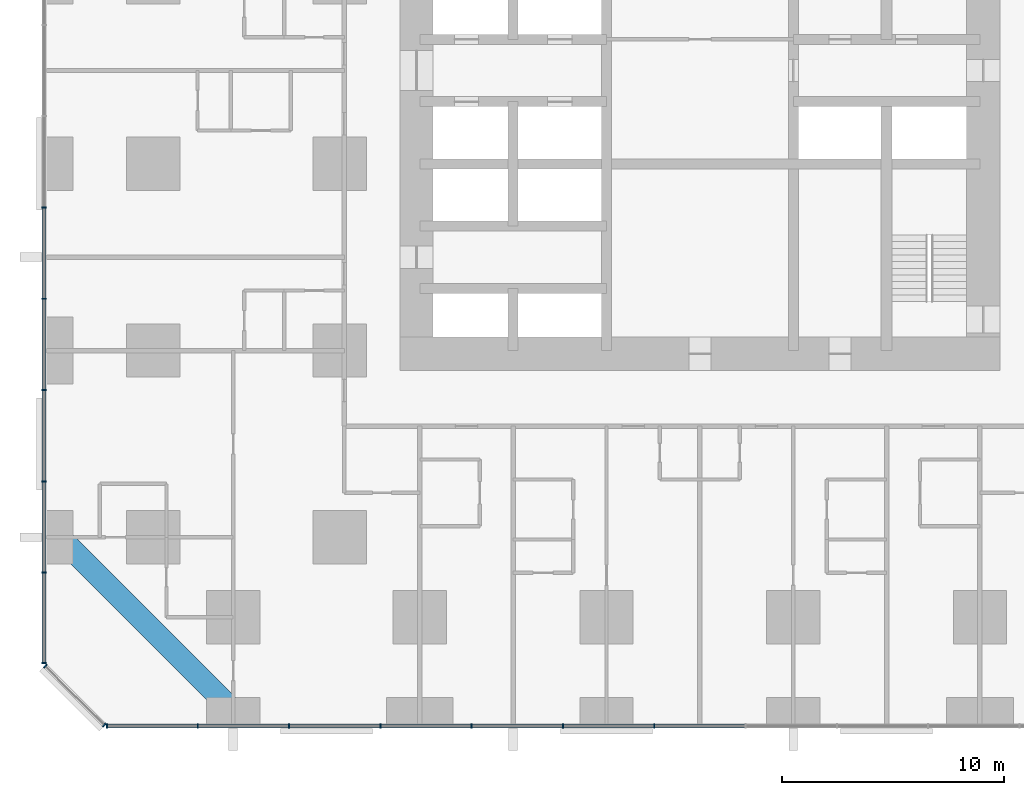
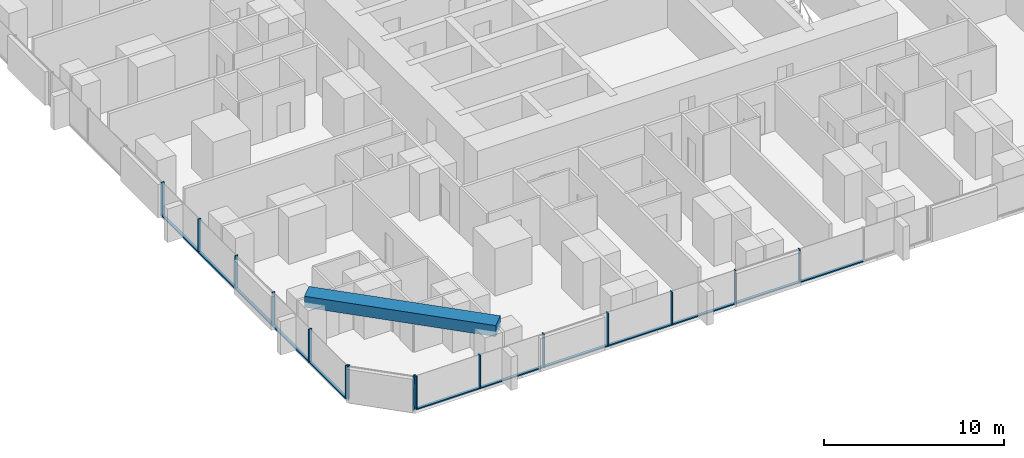
# One storey, part 2 of 16: 27 members, 1 beam, 3 elements without a shape of their own.
"""IFC4 building model written with IfcOpenShell, lengths in metres."""

from ifc_helpers import new_model, si_unit, direction, frame, origin, origin_2d, place, context, subcontext, project, spatial, rectangle, extrude, material, material_profile, profile_set, type_object, element, aggregate, save


model = new_model("IFC4")

# Units and contexts
model_context = context("Model", 3, precision=1e-05, world=origin(), true_north=direction((0.0, 1.0)))
body_context = subcontext(model_context, "Body", "Model", "MODEL_VIEW")
ifc_project = project(units=[si_unit("LENGTHUNIT", "METRE"), si_unit("AREAUNIT", "SQUARE_METRE"), si_unit("VOLUMEUNIT", "CUBIC_METRE"), si_unit("PLANEANGLEUNIT", "RADIAN"), si_unit("MASSUNIT", "GRAM", prefix="KILO")], contexts=[model_context])

# Site, building, storey
site_placement = place(None, origin())
site = spatial("IfcSite", under=ifc_project, at=site_placement, CompositionType="ELEMENT")
building_placement = place(site_placement, origin())
building = spatial("IfcBuilding", under=site, at=building_placement, Name="Dunama Terrace Hotel", CompositionType="ELEMENT")
storey_placement = place(building_placement, frame((0.0, 0.0, 84.60009765625)))
storey = spatial("IfcBuildingStorey", under=building, at=storey_placement, Name="L21", CompositionType="ELEMENT", Elevation=84.60009765625)

# Curtain wall, members
ifc_material_1 = material(Name="Aluminium curtain wall system", Category="aluminium")
curtain_wall_type = type_object("IfcCurtainWallType", Name="Unitised fritted glass wall CW-A", PredefinedType="NOTDEFINED", material=ifc_material_1)
curtain_wall_1_placement = place(storey_placement, origin())
curtain_wall_1 = element("IfcCurtainWall", 1, at=curtain_wall_1_placement, inside=storey, type_object=curtain_wall_type, Name="Unitised fritted glass wall CW-A L21", PredefinedType="NOTDEFINED")
ifc_material_2 = material(Name="Aluminium mullion", Category="aluminium")
ifc_material_profile_1 = material_profile(ifc_material_2, rectangle(XDim=0.06494140625, YDim=0.199951171875, at=origin_2d()), Name="CWA MULLION 65X200")
ifc_profile_set_1 = profile_set([ifc_material_profile_1], Name="Aluminium mullion")
member_type_1 = type_object("IfcMemberType", Name="CWA mullion 65x200", PredefinedType="MULLION", material=ifc_profile_set_1)
member_1_placement = place(storey_placement, frame((2.73291015625, -0.10009765625, 0.0), z_axis=(0.0, 0.0, 1.0), x_axis=(1.0, 0.0, 0.0)))
member_1 = element("IfcMember", 2, at=member_1_placement, type_object=member_type_1, Name="CWA mullion", PredefinedType="MULLION", context=body_context, shape_type="SweptSolid", body=[
    extrude(rectangle(XDim=0.06494140625, YDim=0.199951171875, at=origin_2d()), origin(), (0.0, 0.0, 1.0), 2.27880859375),
])
member_2_placement = place(storey_placement, frame((6.80810546875, -0.10009765625, 0.0), z_axis=(0.0, 0.0, 1.0), x_axis=(1.0, 0.0, 0.0)))
member_2 = element("IfcMember", 3, at=member_2_placement, type_object=member_type_1, Name="CWA mullion", PredefinedType="MULLION", context=body_context, shape_type="SweptSolid", body=[
    extrude(rectangle(XDim=0.06494140625, YDim=0.199951171875, at=origin_2d()), origin(), (0.0, 0.0, 1.0), 2.27880859375),
])
member_3_placement = place(storey_placement, frame((10.9150390625, -0.10009765625, 0.0), z_axis=(0.0, 0.0, 1.0), x_axis=(1.0, 0.0, 0.0)))
member_3 = element("IfcMember", 4, at=member_3_placement, type_object=member_type_1, Name="CWA mullion", PredefinedType="MULLION", context=body_context, shape_type="SweptSolid", body=[
    extrude(rectangle(XDim=0.06494140625, YDim=0.199951171875, at=origin_2d()), origin(), (0.0, 0.0, 1.0), 2.27880859375),
])
member_4_placement = place(storey_placement, frame((15.02294921875, -0.10009765625, 0.0), z_axis=(0.0, 0.0, 1.0), x_axis=(1.0, 0.0, 0.0)))
member_4 = element("IfcMember", 5, at=member_4_placement, type_object=member_type_1, Name="CWA mullion", PredefinedType="MULLION", context=body_context, shape_type="SweptSolid", body=[
    extrude(rectangle(XDim=0.06494140625, YDim=0.199951171875, at=origin_2d()), origin(), (0.0, 0.0, 1.0), 2.27880859375),
])
member_5_placement = place(storey_placement, frame((19.131103515625, -0.10009765625, 0.0), z_axis=(0.0, 0.0, 1.0), x_axis=(1.0, 0.0, 0.0)))
member_5 = element("IfcMember", 6, at=member_5_placement, type_object=member_type_1, Name="CWA mullion", PredefinedType="MULLION", context=body_context, shape_type="SweptSolid", body=[
    extrude(rectangle(XDim=0.06494140625, YDim=0.199951171875, at=origin_2d()), origin(), (0.0, 0.0, 1.0), 2.27880859375),
])
member_6_placement = place(storey_placement, frame((23.238037109375, -0.10009765625, 0.0), z_axis=(0.0, 0.0, 1.0), x_axis=(1.0, 0.0, 0.0)))
member_6 = element("IfcMember", 7, at=member_6_placement, type_object=member_type_1, Name="CWA mullion", PredefinedType="MULLION", context=body_context, shape_type="SweptSolid", body=[
    extrude(rectangle(XDim=0.06494140625, YDim=0.199951171875, at=origin_2d()), origin(), (0.0, 0.0, 1.0), 2.27880859375),
])
member_7_placement = place(storey_placement, frame((27.345947265625, -0.10009765625, 0.0), z_axis=(0.0, 0.0, 1.0), x_axis=(1.0, 0.0, 0.0)))
member_7 = element("IfcMember", 8, at=member_7_placement, type_object=member_type_1, Name="CWA mullion", PredefinedType="MULLION", context=body_context, shape_type="SweptSolid", body=[
    extrude(rectangle(XDim=0.06494140625, YDim=0.199951171875, at=origin_2d()), origin(), (0.0, 0.0, 1.0), 2.27880859375),
])

curtain_wall_2_placement = place(storey_placement, origin())
curtain_wall_2 = element("IfcCurtainWall", 9, at=curtain_wall_2_placement, inside=storey, type_object=curtain_wall_type, Name="Unitised fritted glass wall CW-A L21", PredefinedType="NOTDEFINED")
member_8_placement = place(storey_placement, frame((-0.10009765625, 23.238037109375, 0.0), z_axis=(0.0, 0.0, 1.0), x_axis=(0.0, -1.0, 0.0)))
member_8 = element("IfcMember", 10, at=member_8_placement, type_object=member_type_1, Name="CWA mullion", PredefinedType="MULLION", context=body_context, shape_type="SweptSolid", body=[
    extrude(rectangle(XDim=0.06494140625, YDim=0.199951171875, at=origin_2d()), origin(), (0.0, 0.0, 1.0), 2.27880859375),
])
member_9_placement = place(storey_placement, frame((-0.10009765625, 19.131103515625, 0.0), z_axis=(0.0, 0.0, 1.0), x_axis=(0.0, -1.0, 0.0)))
member_9 = element("IfcMember", 11, at=member_9_placement, type_object=member_type_1, Name="CWA mullion", PredefinedType="MULLION", context=body_context, shape_type="SweptSolid", body=[
    extrude(rectangle(XDim=0.06494140625, YDim=0.199951171875, at=origin_2d()), origin(), (0.0, 0.0, 1.0), 2.27880859375),
])
member_10_placement = place(storey_placement, frame((-0.10009765625, 15.02294921875, 0.0), z_axis=(0.0, 0.0, 1.0), x_axis=(0.0, -1.0, 0.0)))
member_10 = element("IfcMember", 12, at=member_10_placement, type_object=member_type_1, Name="CWA mullion", PredefinedType="MULLION", context=body_context, shape_type="SweptSolid", body=[
    extrude(rectangle(XDim=0.06494140625, YDim=0.199951171875, at=origin_2d()), origin(), (0.0, 0.0, 1.0), 2.27880859375),
])
member_11_placement = place(storey_placement, frame((-0.10009765625, 10.9150390625, 0.0), z_axis=(0.0, 0.0, 1.0), x_axis=(0.0, -1.0, 0.0)))
member_11 = element("IfcMember", 13, at=member_11_placement, type_object=member_type_1, Name="CWA mullion", PredefinedType="MULLION", context=body_context, shape_type="SweptSolid", body=[
    extrude(rectangle(XDim=0.06494140625, YDim=0.199951171875, at=origin_2d()), origin(), (0.0, 0.0, 1.0), 2.27880859375),
])
member_12_placement = place(storey_placement, frame((-0.10009765625, 6.80810546875, 0.0), z_axis=(0.0, 0.0, 1.0), x_axis=(0.0, -1.0, 0.0)))
member_12 = element("IfcMember", 14, at=member_12_placement, type_object=member_type_1, Name="CWA mullion", PredefinedType="MULLION", context=body_context, shape_type="SweptSolid", body=[
    extrude(rectangle(XDim=0.06494140625, YDim=0.199951171875, at=origin_2d()), origin(), (0.0, 0.0, 1.0), 2.27880859375),
])
member_13_placement = place(storey_placement, frame((-0.10009765625, 2.73291015625, 0.0), z_axis=(0.0, 0.0, 1.0), x_axis=(0.0, -1.0, 0.0)))
member_13 = element("IfcMember", 15, at=member_13_placement, type_object=member_type_1, Name="CWA mullion", PredefinedType="MULLION", context=body_context, shape_type="SweptSolid", body=[
    extrude(rectangle(XDim=0.06494140625, YDim=0.199951171875, at=origin_2d()), origin(), (0.0, 0.0, 1.0), 2.27880859375),
])

curtain_wall_3_placement = place(storey_placement, origin())
curtain_wall_3 = element("IfcCurtainWall", 16, at=curtain_wall_3_placement, inside=storey, type_object=curtain_wall_type, Name="Unitised fritted glass wall CW-A L21", PredefinedType="NOTDEFINED")
member_14_placement = place(storey_placement, frame((-0.048095703125, 2.60595703125, 0.0), z_axis=(0.0, 0.0, 1.0), x_axis=(0.707106781187, -0.707106781187, 0.0)))
member_14 = element("IfcMember", 17, at=member_14_placement, type_object=member_type_1, Name="CWA mullion", PredefinedType="MULLION", context=body_context, shape_type="SweptSolid", body=[
    extrude(rectangle(XDim=0.06494140625, YDim=0.199951171875, at=origin_2d()), origin(), (0.0, 0.0, 1.0), 2.27880859375),
])
member_15_placement = place(storey_placement, frame((2.60595703125, -0.048095703125, 0.0), z_axis=(0.0, 0.0, 1.0), x_axis=(0.707106781187, -0.707106781187, 0.0)))
member_15 = element("IfcMember", 18, at=member_15_placement, type_object=member_type_1, Name="CWA mullion", PredefinedType="MULLION", context=body_context, shape_type="SweptSolid", body=[
    extrude(rectangle(XDim=0.06494140625, YDim=0.199951171875, at=origin_2d()), origin(), (0.0, 0.0, 1.0), 2.27880859375),
])
aggregate(curtain_wall_3, [member_14, member_15])

# Member
ifc_material_3 = material(Name="Aluminium transom", Category="aluminium")
ifc_material_profile_2 = material_profile(ifc_material_3, rectangle(XDim=0.179931640625, YDim=0.074951171875, at=origin_2d()), Name="CWA TRANSOM 180X75")
ifc_profile_set_2 = profile_set([ifc_material_profile_2], Name="Aluminium transom")
member_type_2 = type_object("IfcMemberType", Name="CWA transom 180x75", PredefinedType="USERDEFINED", material=ifc_profile_set_2)
member_16_placement = place(storey_placement, frame((2.764892578125, -0.10009765625, 0.037353515625), z_axis=(1.0, 0.0, 0.0), x_axis=(0.0, 1.0, 0.0)))
member_16 = element("IfcMember", 19, at=member_16_placement, type_object=member_type_2, Name="CWA transom", ObjectType="TRANSOM", PredefinedType="USERDEFINED", context=body_context, shape_type="SweptSolid", body=[
    extrude(rectangle(XDim=0.179931640625, YDim=0.074951171875, at=origin_2d()), origin(), (0.0, 0.0, 1.0), 4.010009765625),
])

member_17_placement = place(storey_placement, frame((6.840087890625, -0.10009765625, 0.037353515625), z_axis=(1.0, 0.0, 0.0), x_axis=(0.0, 1.0, 0.0)))
member_17 = element("IfcMember", 20, at=member_17_placement, type_object=member_type_2, Name="CWA transom", ObjectType="TRANSOM", PredefinedType="USERDEFINED", context=body_context, shape_type="SweptSolid", body=[
    extrude(rectangle(XDim=0.179931640625, YDim=0.074951171875, at=origin_2d()), origin(), (0.0, 0.0, 1.0), 4.04296875),
])

member_18_placement = place(storey_placement, frame((10.947998046875, -0.10009765625, 0.037353515625), z_axis=(1.0, 0.0, 0.0), x_axis=(0.0, 1.0, 0.0)))
member_18 = element("IfcMember", 21, at=member_18_placement, type_object=member_type_2, Name="CWA transom", ObjectType="TRANSOM", PredefinedType="USERDEFINED", context=body_context, shape_type="SweptSolid", body=[
    extrude(rectangle(XDim=0.179931640625, YDim=0.074951171875, at=origin_2d()), origin(), (0.0, 0.0, 1.0), 4.04296875),
])

member_19_placement = place(storey_placement, frame((15.055908203125, -0.10009765625, 0.037353515625), z_axis=(1.0, 0.0, 0.0), x_axis=(0.0, 1.0, 0.0)))
member_19 = element("IfcMember", 22, at=member_19_placement, type_object=member_type_2, Name="CWA transom", ObjectType="TRANSOM", PredefinedType="USERDEFINED", context=body_context, shape_type="SweptSolid", body=[
    extrude(rectangle(XDim=0.179931640625, YDim=0.074951171875, at=origin_2d()), origin(), (0.0, 0.0, 1.0), 4.0419921875),
])

member_20_placement = place(storey_placement, frame((19.1630859375, -0.10009765625, 0.037353515625), z_axis=(1.0, 0.0, 0.0), x_axis=(0.0, 1.0, 0.0)))
member_20 = element("IfcMember", 23, at=member_20_placement, type_object=member_type_2, Name="CWA transom", ObjectType="TRANSOM", PredefinedType="USERDEFINED", context=body_context, shape_type="SweptSolid", body=[
    extrude(rectangle(XDim=0.179931640625, YDim=0.074951171875, at=origin_2d()), origin(), (0.0, 0.0, 1.0), 4.04296875),
])

member_21_placement = place(storey_placement, frame((23.27099609375, -0.10009765625, 0.037353515625), z_axis=(1.0, 0.0, 0.0), x_axis=(0.0, 1.0, 0.0)))
member_21 = element("IfcMember", 24, at=member_21_placement, type_object=member_type_2, Name="CWA transom", ObjectType="TRANSOM", PredefinedType="USERDEFINED", context=body_context, shape_type="SweptSolid", body=[
    extrude(rectangle(XDim=0.179931640625, YDim=0.074951171875, at=origin_2d()), origin(), (0.0, 0.0, 1.0), 4.04296875),
])

member_22_placement = place(storey_placement, frame((27.37890625, -0.10009765625, 0.037353515625), z_axis=(1.0, 0.0, 0.0), x_axis=(0.0, 1.0, 0.0)))
member_22 = element("IfcMember", 25, at=member_22_placement, type_object=member_type_2, Name="CWA transom", ObjectType="TRANSOM", PredefinedType="USERDEFINED", context=body_context, shape_type="SweptSolid", body=[
    extrude(rectangle(XDim=0.179931640625, YDim=0.074951171875, at=origin_2d()), origin(), (0.0, 0.0, 1.0), 4.0419921875),
])

aggregate(curtain_wall_1, [member_1, member_2, member_3, member_4, member_5, member_6, member_7, member_16, member_17, member_18, member_19, member_20, member_21, member_22])

member_23_placement = place(storey_placement, frame((-0.10009765625, 23.2060546875, 0.037353515625), z_axis=(0.0, -1.0, 0.0), x_axis=(1.0, 0.0, 0.0)))
member_23 = element("IfcMember", 26, at=member_23_placement, type_object=member_type_2, Name="CWA transom", ObjectType="TRANSOM", PredefinedType="USERDEFINED", context=body_context, shape_type="SweptSolid", body=[
    extrude(rectangle(XDim=0.179931640625, YDim=0.074951171875, at=origin_2d()), origin(), (0.0, 0.0, 1.0), 4.04296875),
])

member_24_placement = place(storey_placement, frame((-0.10009765625, 19.097900390625, 0.037353515625), z_axis=(0.0, -1.0, 0.0), x_axis=(1.0, 0.0, 0.0)))
member_24 = element("IfcMember", 27, at=member_24_placement, type_object=member_type_2, Name="CWA transom", ObjectType="TRANSOM", PredefinedType="USERDEFINED", context=body_context, shape_type="SweptSolid", body=[
    extrude(rectangle(XDim=0.179931640625, YDim=0.074951171875, at=origin_2d()), origin(), (0.0, 0.0, 1.0), 4.0419921875),
])

member_25_placement = place(storey_placement, frame((-0.10009765625, 14.990966796875, 0.037353515625), z_axis=(0.0, -1.0, 0.0), x_axis=(1.0, 0.0, 0.0)))
member_25 = element("IfcMember", 28, at=member_25_placement, type_object=member_type_2, Name="CWA transom", ObjectType="TRANSOM", PredefinedType="USERDEFINED", context=body_context, shape_type="SweptSolid", body=[
    extrude(rectangle(XDim=0.179931640625, YDim=0.074951171875, at=origin_2d()), origin(), (0.0, 0.0, 1.0), 4.04296875),
])

member_26_placement = place(storey_placement, frame((-0.10009765625, 10.883056640625, 0.037353515625), z_axis=(0.0, -1.0, 0.0), x_axis=(1.0, 0.0, 0.0)))
member_26 = element("IfcMember", 29, at=member_26_placement, type_object=member_type_2, Name="CWA transom", ObjectType="TRANSOM", PredefinedType="USERDEFINED", context=body_context, shape_type="SweptSolid", body=[
    extrude(rectangle(XDim=0.179931640625, YDim=0.074951171875, at=origin_2d()), origin(), (0.0, 0.0, 1.0), 4.04296875),
])

member_27_placement = place(storey_placement, frame((-0.10009765625, 6.77490234375, 0.037353515625), z_axis=(0.0, -1.0, 0.0), x_axis=(1.0, 0.0, 0.0)))
member_27 = element("IfcMember", 30, at=member_27_placement, type_object=member_type_2, Name="CWA transom", ObjectType="TRANSOM", PredefinedType="USERDEFINED", context=body_context, shape_type="SweptSolid", body=[
    extrude(rectangle(XDim=0.179931640625, YDim=0.074951171875, at=origin_2d()), origin(), (0.0, 0.0, 1.0), 4.010009765625),
])

aggregate(curtain_wall_2, [member_8, member_9, member_10, member_11, member_12, member_13, member_23, member_24, member_25, member_26, member_27])

# Beam
ifc_material_4 = material(Name="Concrete C50/60", Category="concrete")
ifc_material_profile_3 = material_profile(ifc_material_4, rectangle(XDim=1.0, YDim=0.75, at=origin_2d()), Name="RC 1000x750")
ifc_profile_set_3 = profile_set([ifc_material_profile_3], Name="Concrete C50/60")
beam_type = type_object("IfcBeamType", Name="Edge beam RC 1000x750", PredefinedType="SPANDREL", material=ifc_profile_set_3)
beam_placement = place(storey_placement, frame((8.39990234375, 0.60009765625, 3.224853515625), z_axis=(-0.707106781187, 0.707106781187, 0.0), x_axis=(-0.707106781187, -0.707106781187, 0.0)))
element("IfcBeam", 31, at=beam_placement, inside=storey, type_object=beam_type, Name="Corner edge beam under L22", PredefinedType="SPANDREL", context=body_context, shape_type="SweptSolid", body=[
    extrude(rectangle(XDim=1.0, YDim=0.75, at=origin_2d()), origin(), (0.0, 0.0, 1.0), 11.030517578125),
])

save(model, "model.ifc")
